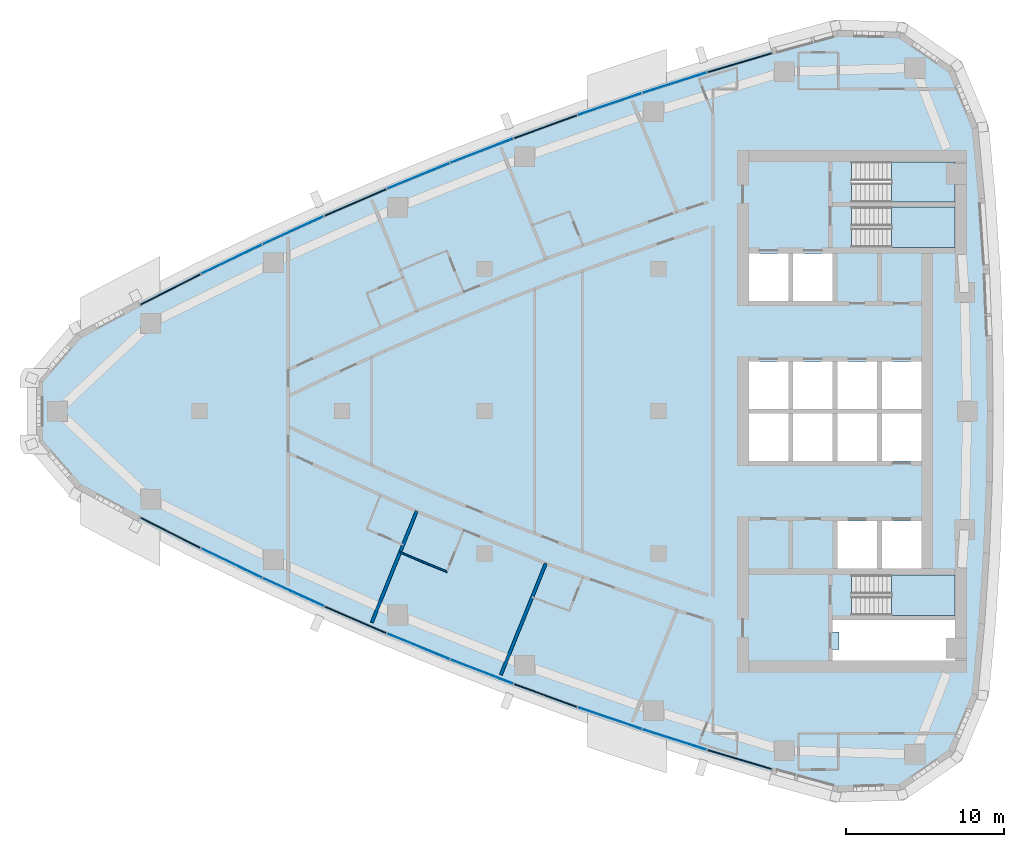
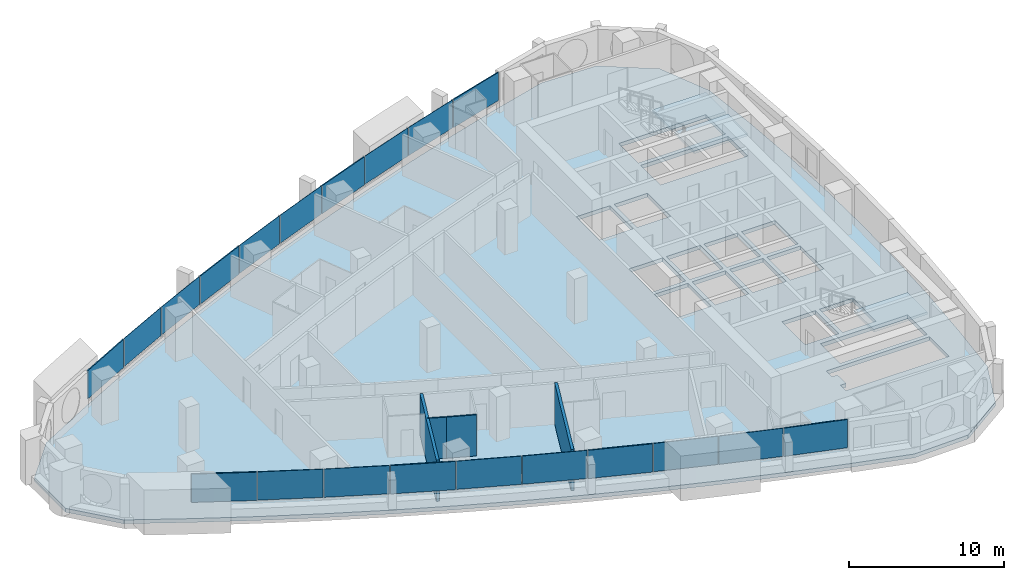
# One storey, part 8 of 17: 20 plates, 4 slabs, 4 walls, 1 opening, 13 elements without a shape of their own.
"""IFC4 building model written with IfcOpenShell, lengths in metres."""

from ifc_helpers import new_model, si_unit, direction, frame, frame_2d, origin, origin_2d, place, context, subcontext, project, spatial, polyline, rectangle, outline, extrude, material, layer, layer_set, type_object, element, aggregate, save


model = new_model("IFC4")

# Units and contexts
model_context = context("Model", 3, precision=1e-05, world=origin(), true_north=direction((0.0, 1.0)))
body_context = subcontext(model_context, "Body", "Model", "MODEL_VIEW")
ifc_project = project(units=[si_unit("LENGTHUNIT", "METRE"), si_unit("AREAUNIT", "SQUARE_METRE"), si_unit("VOLUMEUNIT", "CUBIC_METRE"), si_unit("PLANEANGLEUNIT", "RADIAN"), si_unit("MASSUNIT", "GRAM", prefix="KILO")], contexts=[model_context])

# Site, building, storey
site_placement = place(None, origin())
site = spatial("IfcSite", under=ifc_project, at=site_placement, CompositionType="ELEMENT")
building_placement = place(site_placement, origin())
building = spatial("IfcBuilding", under=site, at=building_placement, Name="Ostrand Prow Hotel Tower", CompositionType="ELEMENT")
storey_placement = place(building_placement, frame((0.0, 0.0, 196.800048828125)))
storey = spatial("IfcBuildingStorey", under=building, at=storey_placement, Name="L49", CompositionType="ELEMENT", Elevation=196.800048828125)

# Curtain wall, plate
ifc_material_1 = material(Name="Insulated glass in bronze anodised frame", Category="glass")
ifc_layer_1 = layer(ifc_material_1, 0.199951171875)
ifc_layer_set_1 = layer_set([ifc_layer_1], Name="Insulated glass in bronze anodised frame")
curtain_wall_type = type_object("IfcCurtainWallType", Name="Strip curtain wall, fritted glass over bronze spandrel", PredefinedType="NOTDEFINED", material=ifc_layer_set_1)
curtain_wall_1_placement = place(storey_placement, origin())
curtain_wall_1 = element("IfcCurtainWall", 1, at=curtain_wall_1_placement, inside=storey, type_object=curtain_wall_type, Name="CW1 run CWS1", PredefinedType="NOTDEFINED")
ifc_material_2 = material(Name="Ceramic-fritted glass", Category="glass")
ifc_layer_2 = layer(ifc_material_2, 0.031982421875)
ifc_layer_set_2 = layer_set([ifc_layer_2], Name="Ceramic-fritted glass")
plate_type_1 = type_object("IfcPlateType", Name="Dot-fritted ceramic glass unit 32 mm", PredefinedType="CURTAIN_PANEL", material=ifc_layer_set_2)
plate_1_placement = place(storey_placement, frame((18.033203125, -9.596435546875, 1.02001953125), z_axis=(0.0, 0.0, 1.0), x_axis=(0.90061633232, -0.434615027304, 0.0)))
plate_1 = element("IfcPlate", 2, at=plate_1_placement, type_object=plate_type_1, Name="CW1 PN-D panel 2.2", PredefinedType="CURTAIN_PANEL", context=body_context, shape_type="SweptSolid", body=[
    extrude(rectangle(XDim=4.2451171875, YDim=0.031982421875, at=origin_2d()), origin(), (0.0, 0.0, 1.0), 2.22998046875),
])

curtain_wall_2_placement = place(storey_placement, origin())
curtain_wall_2 = element("IfcCurtainWall", 3, at=curtain_wall_2_placement, inside=storey, type_object=curtain_wall_type, Name="CW1 run CWS2", PredefinedType="NOTDEFINED")
plate_2_placement = place(storey_placement, frame((21.928955078125, -11.428466796875, 1.02001953125), z_axis=(0.0, 0.0, 1.0), x_axis=(0.909184517226, -0.416393460127, 0.0)))
plate_2 = element("IfcPlate", 4, at=plate_2_placement, type_object=plate_type_1, Name="CW1 PN-D panel 1.2", PredefinedType="CURTAIN_PANEL", context=body_context, shape_type="SweptSolid", body=[
    extrude(rectangle(XDim=4.2451171875, YDim=0.031982421875, at=origin_2d()), origin(), (0.0, 0.0, 1.0), 2.22998046875),
])

# Curtain wall, plates
curtain_wall_3_placement = place(storey_placement, origin())
curtain_wall_3 = element("IfcCurtainWall", 5, at=curtain_wall_3_placement, inside=storey, type_object=curtain_wall_type, Name="CW1 run CWS3", PredefinedType="NOTDEFINED")
plate_3_placement = place(storey_placement, frame((29.826904296875, -14.85498046875, 1.02001953125), z_axis=(0.0, 0.0, 1.0), x_axis=(0.925211042932, -0.379452929936, 0.0)))
plate_3 = element("IfcPlate", 6, at=plate_3_placement, type_object=plate_type_1, Name="CW1 PN-D panel 1.2", PredefinedType="CURTAIN_PANEL", context=body_context, shape_type="SweptSolid", body=[
    extrude(rectangle(XDim=4.2451171875, YDim=0.031982421875, at=origin_2d()), origin(), (0.0, 0.0, 1.0), 2.22998046875),
])
plate_4_placement = place(storey_placement, frame((33.826171875, -16.4482421875, 1.02001953125), z_axis=(0.0, 0.0, 1.0), x_axis=(0.932662950972, -0.360748970732, 0.0)))
plate_4 = element("IfcPlate", 7, at=plate_4_placement, type_object=plate_type_1, Name="CW1 PN-D panel 2.2", PredefinedType="CURTAIN_PANEL", context=body_context, shape_type="SweptSolid", body=[
    extrude(rectangle(XDim=4.2451171875, YDim=0.031982421875, at=origin_2d()), origin(), (0.0, 0.0, 1.0), 2.22998046875),
])
aggregate(curtain_wall_3, [plate_3, plate_4])

# Curtain wall, plate
curtain_wall_4_placement = place(storey_placement, origin())
curtain_wall_4 = element("IfcCurtainWall", 8, at=curtain_wall_4_placement, inside=storey, type_object=curtain_wall_type, Name="CW1 run CWS4", PredefinedType="NOTDEFINED")
plate_5_placement = place(storey_placement, frame((41.91650390625, -19.3916015625, 1.02001953125), z_axis=(0.0, 0.0, 1.0), x_axis=(0.946430245113, -0.322908332404, 0.0)))
plate_5 = element("IfcPlate", 9, at=plate_5_placement, type_object=plate_type_1, Name="CW1 PN-D panel 2.2", PredefinedType="CURTAIN_PANEL", context=body_context, shape_type="SweptSolid", body=[
    extrude(rectangle(XDim=4.2451171875, YDim=0.031982421875, at=origin_2d()), origin(), (0.0, 0.0, 1.0), 2.22998046875),
])

curtain_wall_5_placement = place(storey_placement, origin())
curtain_wall_5 = element("IfcCurtainWall", 10, at=curtain_wall_5_placement, inside=storey, type_object=curtain_wall_type, Name="CW1 run CWS5", PredefinedType="NOTDEFINED")
plate_6_placement = place(storey_placement, frame((46.00439453125, -20.74072265625, 1.02001953125), z_axis=(0.0, 0.0, 1.0), x_axis=(0.952739983864, -0.303786970008, 0.0)))
plate_6 = element("IfcPlate", 11, at=plate_6_placement, type_object=plate_type_1, Name="CW1 PN-D panel 1.2", PredefinedType="CURTAIN_PANEL", context=body_context, shape_type="SweptSolid", body=[
    extrude(rectangle(XDim=4.2451171875, YDim=0.031982421875, at=origin_2d()), origin(), (0.0, 0.0, 1.0), 2.22998046875),
])

curtain_wall_6_placement = place(storey_placement, origin())
curtain_wall_6 = element("IfcCurtainWall", 12, at=curtain_wall_6_placement, inside=storey, type_object=curtain_wall_type, Name="CW1 run CWN1", PredefinedType="NOTDEFINED")
plate_7_placement = place(storey_placement, frame((46.00439453125, 20.74072265625, 1.02001953125), z_axis=(0.0, 0.0, 1.0), x_axis=(-0.952739983864, -0.303786970008, 0.0)))
plate_7 = element("IfcPlate", 13, at=plate_7_placement, type_object=plate_type_1, Name="CW1 PN-D panel 2.2", PredefinedType="CURTAIN_PANEL", context=body_context, shape_type="SweptSolid", body=[
    extrude(rectangle(XDim=4.2451171875, YDim=0.031982421875, at=origin_2d()), origin(), (0.0, 0.0, 1.0), 2.22998046875),
])

curtain_wall_7_placement = place(storey_placement, origin())
curtain_wall_7 = element("IfcCurtainWall", 14, at=curtain_wall_7_placement, inside=storey, type_object=curtain_wall_type, Name="CW1 run CWN2", PredefinedType="NOTDEFINED")
plate_8_placement = place(storey_placement, frame((41.91650390625, 19.3916015625, 1.02001953125), z_axis=(0.0, 0.0, 1.0), x_axis=(-0.946430245113, -0.322908332404, 0.0)))
plate_8 = element("IfcPlate", 15, at=plate_8_placement, type_object=plate_type_1, Name="CW1 PN-D panel 1.2", PredefinedType="CURTAIN_PANEL", context=body_context, shape_type="SweptSolid", body=[
    extrude(rectangle(XDim=4.2451171875, YDim=0.031982421875, at=origin_2d()), origin(), (0.0, 0.0, 1.0), 2.22998046875),
])

# Curtain wall, plates
curtain_wall_8_placement = place(storey_placement, origin())
curtain_wall_8 = element("IfcCurtainWall", 16, at=curtain_wall_8_placement, inside=storey, type_object=curtain_wall_type, Name="CW1 run CWN3", PredefinedType="NOTDEFINED")
plate_9_placement = place(storey_placement, frame((33.826171875, 16.4482421875, 1.02001953125), z_axis=(0.0, 0.0, 1.0), x_axis=(-0.932662950972, -0.360748970732, 0.0)))
plate_9 = element("IfcPlate", 17, at=plate_9_placement, type_object=plate_type_1, Name="CW1 PN-D panel 1.2", PredefinedType="CURTAIN_PANEL", context=body_context, shape_type="SweptSolid", body=[
    extrude(rectangle(XDim=4.2451171875, YDim=0.031982421875, at=origin_2d()), origin(), (0.0, 0.0, 1.0), 2.22998046875),
])
plate_10_placement = place(storey_placement, frame((29.826904296875, 14.85498046875, 1.02001953125), z_axis=(0.0, 0.0, 1.0), x_axis=(-0.925211042932, -0.379452929936, 0.0)))
plate_10 = element("IfcPlate", 18, at=plate_10_placement, type_object=plate_type_1, Name="CW1 PN-D panel 2.2", PredefinedType="CURTAIN_PANEL", context=body_context, shape_type="SweptSolid", body=[
    extrude(rectangle(XDim=4.2451171875, YDim=0.031982421875, at=origin_2d()), origin(), (0.0, 0.0, 1.0), 2.22998046875),
])
aggregate(curtain_wall_8, [plate_9, plate_10])

# Curtain wall, plate
curtain_wall_9_placement = place(storey_placement, origin())
curtain_wall_9 = element("IfcCurtainWall", 19, at=curtain_wall_9_placement, inside=storey, type_object=curtain_wall_type, Name="CW1 run CWN4", PredefinedType="NOTDEFINED")
plate_11_placement = place(storey_placement, frame((21.928955078125, 11.428466796875, 1.02001953125), z_axis=(0.0, 0.0, 1.0), x_axis=(-0.909184517226, -0.416393460127, 0.0)))
plate_11 = element("IfcPlate", 20, at=plate_11_placement, type_object=plate_type_1, Name="CW1 PN-D panel 2.2", PredefinedType="CURTAIN_PANEL", context=body_context, shape_type="SweptSolid", body=[
    extrude(rectangle(XDim=4.2451171875, YDim=0.031982421875, at=origin_2d()), origin(), (0.0, 0.0, 1.0), 2.22998046875),
])

curtain_wall_10_placement = place(storey_placement, origin())
curtain_wall_10 = element("IfcCurtainWall", 21, at=curtain_wall_10_placement, inside=storey, type_object=curtain_wall_type, Name="CW1 run CWN5", PredefinedType="NOTDEFINED")
plate_12_placement = place(storey_placement, frame((18.033203125, 9.596435546875, 1.02001953125), z_axis=(0.0, 0.0, 1.0), x_axis=(-0.90061633232, -0.434615027304, 0.0)))
plate_12 = element("IfcPlate", 22, at=plate_12_placement, type_object=plate_type_1, Name="CW1 PN-D panel 1.2", PredefinedType="CURTAIN_PANEL", context=body_context, shape_type="SweptSolid", body=[
    extrude(rectangle(XDim=4.2451171875, YDim=0.031982421875, at=origin_2d()), origin(), (0.0, 0.0, 1.0), 2.22998046875),
])

# Plate
ifc_material_3 = material(Name="Fritted glass in bronze vent frame", Category="glass")
ifc_layer_3 = layer(ifc_material_3, 0.080078125)
ifc_layer_set_3 = layer_set([ifc_layer_3], Name="Fritted glass in bronze vent frame")
plate_type_2 = type_object("IfcPlateType", Name="Operable vent panel 80 mm", PredefinedType="CURTAIN_PANEL", material=ifc_layer_set_3)
plate_13_placement = place(storey_placement, frame((14.17529296875, -7.6865234375, 1.02001953125), z_axis=(0.0, 0.0, 1.0), x_axis=(0.891683792196, -0.452658828186, 0.0)))
plate_13 = element("IfcPlate", 23, at=plate_13_placement, type_object=plate_type_2, Name="CW1 PN-O2 panel 1.2", PredefinedType="CURTAIN_PANEL", context=body_context, shape_type="SweptSolid", body=[
    extrude(rectangle(XDim=4.2451171875, YDim=0.080078125, at=origin_2d()), origin(), (0.0, 0.0, 1.0), 2.22998046875),
])

aggregate(curtain_wall_1, [plate_13, plate_1])

plate_14_placement = place(storey_placement, frame((25.860595703125, -13.181396484375, 1.02001953125), z_axis=(0.0, 0.0, 1.0), x_axis=(0.917383388347, -0.398004671812, 0.0)))
plate_14 = element("IfcPlate", 24, at=plate_14_placement, type_object=plate_type_2, Name="CW1 PN-O2 panel 2.2", PredefinedType="CURTAIN_PANEL", context=body_context, shape_type="SweptSolid", body=[
    extrude(rectangle(XDim=4.2451171875, YDim=0.080078125, at=origin_2d()), origin(), (0.0, 0.0, 1.0), 2.22998046875),
])

aggregate(curtain_wall_2, [plate_2, plate_14])

plate_15_placement = place(storey_placement, frame((37.8564453125, -17.960693359375, 1.02001953125), z_axis=(0.0, 0.0, 1.0), x_axis=(0.939737383067, -0.341897134919, 0.0)))
plate_15 = element("IfcPlate", 25, at=plate_15_placement, type_object=plate_type_2, Name="CW1 PN-O2 panel 1.2", PredefinedType="CURTAIN_PANEL", context=body_context, shape_type="SweptSolid", body=[
    extrude(rectangle(XDim=4.2451171875, YDim=0.080078125, at=origin_2d()), origin(), (0.0, 0.0, 1.0), 2.22998046875),
])

aggregate(curtain_wall_4, [plate_15, plate_5])

plate_16_placement = place(storey_placement, frame((50.118896484375, -22.007080078125, 1.02001953125), z_axis=(0.0, 0.0, 1.0), x_axis=(0.958662947758, -0.284544113619, 0.0)))
plate_16 = element("IfcPlate", 26, at=plate_16_placement, type_object=plate_type_2, Name="CW1 PN-O2 panel 2.2", PredefinedType="CURTAIN_PANEL", context=body_context, shape_type="SweptSolid", body=[
    extrude(rectangle(XDim=4.2451171875, YDim=0.080078125, at=origin_2d()), origin(), (0.0, 0.0, 1.0), 2.22998046875),
])

aggregate(curtain_wall_5, [plate_6, plate_16])

plate_17_placement = place(storey_placement, frame((50.118896484375, 22.007080078125, 1.02001953125), z_axis=(0.0, 0.0, 1.0), x_axis=(-0.958662947758, -0.284544113619, 0.0)))
plate_17 = element("IfcPlate", 27, at=plate_17_placement, type_object=plate_type_2, Name="CW1 PN-O2 panel 1.2", PredefinedType="CURTAIN_PANEL", context=body_context, shape_type="SweptSolid", body=[
    extrude(rectangle(XDim=4.2451171875, YDim=0.080078125, at=origin_2d()), origin(), (0.0, 0.0, 1.0), 2.22998046875),
])

aggregate(curtain_wall_6, [plate_17, plate_7])

plate_18_placement = place(storey_placement, frame((37.8564453125, 17.960693359375, 1.02001953125), z_axis=(0.0, 0.0, 1.0), x_axis=(-0.939737383067, -0.341897134919, 0.0)))
plate_18 = element("IfcPlate", 28, at=plate_18_placement, type_object=plate_type_2, Name="CW1 PN-O2 panel 2.2", PredefinedType="CURTAIN_PANEL", context=body_context, shape_type="SweptSolid", body=[
    extrude(rectangle(XDim=4.2451171875, YDim=0.080078125, at=origin_2d()), origin(), (0.0, 0.0, 1.0), 2.22998046875),
])

aggregate(curtain_wall_7, [plate_8, plate_18])

plate_19_placement = place(storey_placement, frame((25.860595703125, 13.181396484375, 1.02001953125), z_axis=(0.0, 0.0, 1.0), x_axis=(-0.917383388347, -0.398004671812, 0.0)))
plate_19 = element("IfcPlate", 29, at=plate_19_placement, type_object=plate_type_2, Name="CW1 PN-O2 panel 1.2", PredefinedType="CURTAIN_PANEL", context=body_context, shape_type="SweptSolid", body=[
    extrude(rectangle(XDim=4.2451171875, YDim=0.080078125, at=origin_2d()), origin(), (0.0, 0.0, 1.0), 2.22998046875),
])

aggregate(curtain_wall_9, [plate_19, plate_11])

plate_20_placement = place(storey_placement, frame((14.17529296875, 7.6865234375, 1.02001953125), z_axis=(0.0, 0.0, 1.0), x_axis=(-0.891683792196, -0.452658828186, 0.0)))
plate_20 = element("IfcPlate", 30, at=plate_20_placement, type_object=plate_type_2, Name="CW1 PN-O2 panel 2.2", PredefinedType="CURTAIN_PANEL", context=body_context, shape_type="SweptSolid", body=[
    extrude(rectangle(XDim=4.2451171875, YDim=0.080078125, at=origin_2d()), origin(), (0.0, 0.0, 1.0), 2.22998046875),
])

aggregate(curtain_wall_10, [plate_12, plate_20])

# Slab, opening
ifc_material_4 = material(Name="Concrete C40/50", Category="concrete")
ifc_layer_4 = layer(ifc_material_4, 0.300048828125)
ifc_layer_set_4 = layer_set([ifc_layer_4], Name="Concrete C40/50")
slab_type_1 = type_object("IfcSlabType", Name="PT flat plate 300 C40/50", PredefinedType="FLOOR", material=ifc_layer_set_4)
slab_1_placement = place(storey_placement, frame((0.0, 0.0, -0.300048828125)))
slab_1 = element("IfcSlab", 31, at=slab_1_placement, inside=storey, type_object=slab_type_1, Name="Floor slab L49-1", PredefinedType="FLOOR", context=body_context, shape_type="SweptSolid", body=[
    extrude(outline(polyline([(8.22216796875, 5.025634765625), (12.06689453125, 7.07568359375), (15.912841796875, 9.0283203125), (19.797607421875, 10.90283203125), (23.718994140625, 12.698974609375), (27.676025390625, 14.41552734375), (31.666748046875, 16.05224609375), (35.689697265625, 17.6083984375), (39.7431640625, 19.0830078125), (43.8251953125, 20.475830078125), (47.934814453125, 21.7861328125), (52.06982421875, 23.013427734375), (56.26220703125, 24.16650390625), (60.3349609375, 24.0498046875), (63.721435546875, 21.719482421875), (65.2861328125, 17.957275390625), (65.70947265625, 13.453369140625), (66.009765625, 8.974365234375), (66.18994140625, 4.48876953125), (66.25, 0.0), (66.18994140625, -4.48876953125), (66.009765625, -8.974365234375), (65.70947265625, -13.453369140625), (65.2861328125, -17.957275390625), (63.721435546875, -21.719482421875), (60.3349609375, -24.0498046875), (56.26220703125, -24.16650390625), (52.06982421875, -23.013427734375), (47.934814453125, -21.7861328125), (43.8251953125, -20.475830078125), (39.7431640625, -19.0830078125), (35.689697265625, -17.6083984375), (31.666748046875, -16.05224609375), (27.676025390625, -14.41552734375), (23.718994140625, -12.698974609375), (19.797607421875, -10.90283203125), (15.912841796875, -9.0283203125), (12.06689453125, -7.07568359375), (8.22216796875, -5.025634765625), (5.614013671875, -2.014892578125), (5.614013671875, 2.014892578125), (8.22216796875, 5.025634765625)]), holes=[polyline([(50.699951171875, 6.949951171875), (53.199951171875, 6.949951171875), (53.199951171875, 9.949951171875), (50.699951171875, 9.949951171875), (50.699951171875, 6.949951171875)]), polyline([(53.5, 6.949951171875), (56.0, 6.949951171875), (56.0, 9.949951171875), (53.5, 9.949951171875), (53.5, 6.949951171875)]), polyline([(50.699951171875, 0.14990234375), (53.199951171875, 0.14990234375), (53.199951171875, 3.14990234375), (50.699951171875, 3.14990234375), (50.699951171875, 0.14990234375)]), polyline([(53.5, 0.14990234375), (56.0, 0.14990234375), (56.0, 3.14990234375), (53.5, 3.14990234375), (53.5, 0.14990234375)]), polyline([(56.300048828125, 0.14990234375), (58.800048828125, 0.14990234375), (58.800048828125, 3.14990234375), (56.300048828125, 3.14990234375), (56.300048828125, 0.14990234375)]), polyline([(59.10009765625, 0.14990234375), (61.60009765625, 0.14990234375), (61.60009765625, 3.14990234375), (59.10009765625, 3.14990234375), (59.10009765625, 0.14990234375)]), polyline([(50.699951171875, -3.14990234375), (53.199951171875, -3.14990234375), (53.199951171875, -0.14990234375), (50.699951171875, -0.14990234375), (50.699951171875, -3.14990234375)]), polyline([(53.5, -3.14990234375), (56.0, -3.14990234375), (56.0, -0.14990234375), (53.5, -0.14990234375), (53.5, -3.14990234375)]), polyline([(56.300048828125, -3.14990234375), (58.800048828125, -3.14990234375), (58.800048828125, -0.14990234375), (56.300048828125, -0.14990234375), (56.300048828125, -3.14990234375)]), polyline([(59.10009765625, -3.14990234375), (61.60009765625, -3.14990234375), (61.60009765625, -0.14990234375), (59.10009765625, -0.14990234375), (59.10009765625, -3.14990234375)]), polyline([(56.300048828125, -9.949951171875), (58.800048828125, -9.949951171875), (58.800048828125, -6.949951171875), (56.300048828125, -6.949951171875), (56.300048828125, -9.949951171875)]), polyline([(59.10009765625, -9.949951171875), (61.60009765625, -9.949951171875), (61.60009765625, -6.949951171875), (59.10009765625, -6.949951171875), (59.10009765625, -9.949951171875)]), polyline([(57.200927734375, 10.35107421875), (57.200927734375, 12.89892578125), (63.718994140625, 12.89892578125), (63.718994140625, 10.35107421875), (57.200927734375, 10.35107421875)]), polyline([(57.200927734375, 13.200927734375), (57.200927734375, 15.7490234375), (63.718994140625, 15.7490234375), (63.718994140625, 13.200927734375), (57.200927734375, 13.200927734375)]), polyline([(57.200927734375, -12.89892578125), (57.200927734375, -10.35107421875), (63.718994140625, -10.35107421875), (63.718994140625, -12.89892578125), (57.200927734375, -12.89892578125)]), polyline([(63.719970703125, -13.199951171875), (63.719970703125, -15.75), (56.0, -15.75), (56.0, -15.050048828125), (56.39990234375, -15.050048828125), (56.39990234375, -13.949951171875), (56.0, -13.949951171875), (56.0, -13.199951171875), (63.719970703125, -13.199951171875)])]), origin(), (0.0, 0.0, 1.0), 0.300048828125),
])
opening_placement = place(slab_1_placement, origin())
element("IfcOpeningElement", 32, at=opening_placement, cuts=slab_1, Name="Shaft opening 1", PredefinedType="OPENING", context=body_context, shape_type="SweptSolid", body=[
    extrude(outline(polyline([(63.719970703125, -13.199951171875), (63.719970703125, -15.75), (56.0, -15.75), (56.0, -15.050048828125), (56.39990234375, -15.050048828125), (56.39990234375, -13.949951171875), (56.0, -13.949951171875), (56.0, -13.199951171875), (63.719970703125, -13.199951171875)])), origin(), (0.0, 0.0, 1.0), 0.300048828125),
])

# Stair, slab
ifc_material_5 = material(Name="Concrete C40/50", Category="concrete")
stair_type = type_object("IfcStairType", Name="Exit stair 1200 upper zone", PredefinedType="HALF_TURN_STAIR", material=ifc_material_5)
stair_1_placement = place(storey_placement, origin())
stair_1 = element("IfcStair", 33, at=stair_1_placement, inside=storey, type_object=stair_type, Name="L49 ST1C", PredefinedType="HALF_TURN_STAIR")
ifc_material_6 = material(Name="Concrete C40/50", Category="concrete")
ifc_layer_5 = layer(ifc_material_6, 0.199951171875)
ifc_layer_set_5 = layer_set([ifc_layer_5], Name="Concrete C40/50")
slab_type_2 = type_object("IfcSlabType", Name="Stair landing 200 concrete", PredefinedType="LANDING", material=ifc_layer_set_5)
slab_2_placement = place(storey_placement, frame((0.0, 0.0, 1.574951171875)))
slab_2 = element("IfcSlab", 34, at=slab_2_placement, type_object=slab_type_2, Name="ST1C landing 1", PredefinedType="LANDING", context=body_context, shape_type="SweptSolid", body=[
    extrude(outline(polyline([(59.719970703125, 10.35009765625), (63.719970703125, 10.35009765625), (63.719970703125, 12.89990234375), (59.719970703125, 12.89990234375), (59.719970703125, 10.35009765625)])), origin(), (0.0, 0.0, 1.0), 0.199951171875),
])
aggregate(stair_1, [slab_2])

stair_2_placement = place(storey_placement, origin())
stair_2 = element("IfcStair", 35, at=stair_2_placement, inside=storey, type_object=stair_type, Name="L49 ST3C", PredefinedType="HALF_TURN_STAIR")
slab_3_placement = place(storey_placement, frame((0.0, 0.0, 1.574951171875)))
slab_3 = element("IfcSlab", 36, at=slab_3_placement, type_object=slab_type_2, Name="ST3C landing 1", PredefinedType="LANDING", context=body_context, shape_type="SweptSolid", body=[
    extrude(outline(polyline([(59.719970703125, 13.199951171875), (63.719970703125, 13.199951171875), (63.719970703125, 15.75), (59.719970703125, 15.75), (59.719970703125, 13.199951171875)])), origin(), (0.0, 0.0, 1.0), 0.199951171875),
])
aggregate(stair_2, [slab_3])

stair_3_placement = place(storey_placement, origin())
stair_3 = element("IfcStair", 37, at=stair_3_placement, inside=storey, type_object=stair_type, Name="L49 ST2C", PredefinedType="HALF_TURN_STAIR")
slab_4_placement = place(storey_placement, frame((0.0, 0.0, 1.574951171875)))
slab_4 = element("IfcSlab", 38, at=slab_4_placement, type_object=slab_type_2, Name="ST2C landing 1", PredefinedType="LANDING", context=body_context, shape_type="SweptSolid", body=[
    extrude(outline(polyline([(59.719970703125, -12.89990234375), (63.719970703125, -12.89990234375), (63.719970703125, -10.35009765625), (59.719970703125, -10.35009765625), (59.719970703125, -12.89990234375)])), origin(), (0.0, 0.0, 1.0), 0.199951171875),
])
aggregate(stair_3, [slab_4])

# Walls
ifc_material_7 = material(Name="Plasterboard partition")
ifc_layer_6 = layer(ifc_material_7, 0.10009765625)
ifc_layer_set_6 = layer_set([ifc_layer_6], Name="Plasterboard partition")
wall_type_1 = type_object("IfcWallType", Name="Partition 100 bathroom wall", PredefinedType="PARTITIONING", material=ifc_layer_set_6)
wall_1_placement = place(storey_placement, frame((31.6259765625, -10.14501953125, 0.0), z_axis=(0.0, 0.0, 1.0), x_axis=(-0.925208599746, 0.379458887043, 0.0)))
element("IfcWall", 39, at=wall_1_placement, inside=storey, type_object=wall_type_1, Name="BATHROOM WALL", PredefinedType="PARTITIONING", context=body_context, shape_type="SweptSolid", body=[
    extrude(rectangle(XDim=1.97900390625, YDim=0.10009765625, at=frame_2d((0.989501953125, 0.0))), origin(), (0.0, 0.0, 1.0), 3.25),
])
wall_2_placement = place(storey_placement, frame((29.794921875, -9.39404296875, 0.0), z_axis=(0.0, 0.0, 1.0), x_axis=(-0.917378066425, 0.398016938386, 0.0)))
element("IfcWall", 40, at=wall_2_placement, inside=storey, type_object=wall_type_1, Name="BATHROOM WALL", PredefinedType="PARTITIONING", context=body_context, shape_type="SweptSolid", body=[
    extrude(rectangle(XDim=1.22119140625, YDim=0.10009765625, at=frame_2d((0.610595703125, 0.0))), origin(), (0.0, 0.0, 1.0), 3.25),
])
ifc_material_8 = material(Name="Plasterboard partition")
ifc_layer_7 = layer(ifc_material_8, 0.199951171875)
ifc_layer_set_7 = layer_set([ifc_layer_7], Name="Plasterboard partition")
wall_type_2 = type_object("IfcWallType", Name="Partition 200 key partition", PredefinedType="PARTITIONING", material=ifc_layer_set_7)
wall_3_placement = place(storey_placement, frame((26.879150390625, -13.361328125, 0.0), z_axis=(0.0, 0.0, 1.0), x_axis=(0.37388636046, 0.927474522271, 0.0)))
element("IfcWall", 41, at=wall_3_placement, inside=storey, type_object=wall_type_2, Name="KEY PARTITION", PredefinedType="PARTITIONING", context=body_context, shape_type="SweptSolid", body=[
    extrude(rectangle(XDim=7.6025390625, YDim=0.199951171875, at=frame_2d((3.80126953125, 0.0))), origin(), (0.0, 0.0, 1.0), 3.25),
])
wall_4_placement = place(storey_placement, frame((35.037841796875, -16.6591796875, 0.0), z_axis=(0.0, 0.0, 1.0), x_axis=(0.373892577014, 0.927472016211, 0.0)))
element("IfcWall", 42, at=wall_4_placement, inside=storey, type_object=wall_type_2, Name="KEY PARTITION", PredefinedType="PARTITIONING", context=body_context, shape_type="SweptSolid", body=[
    extrude(rectangle(XDim=7.6005859375, YDim=0.199951171875, at=frame_2d((3.80029296875, 0.0))), origin(), (0.0, 0.0, 1.0), 3.25),
])

save(model, "model.ifc")
